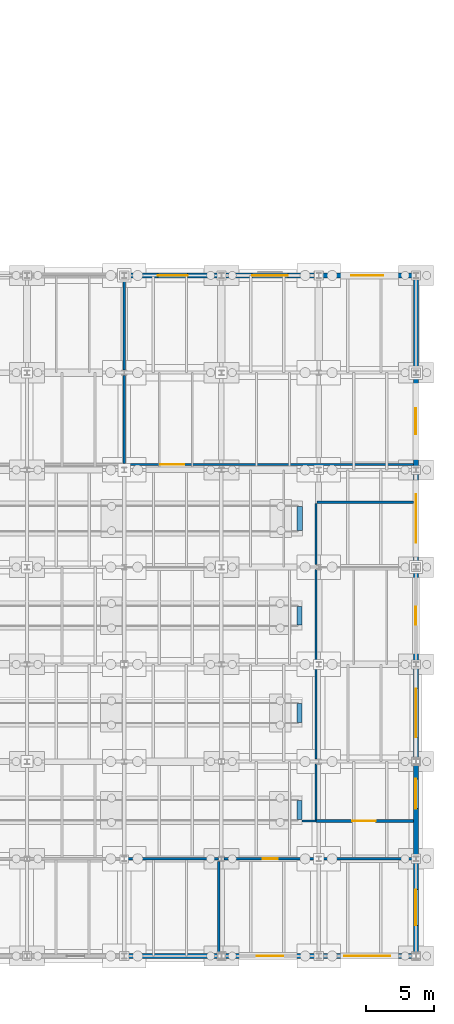
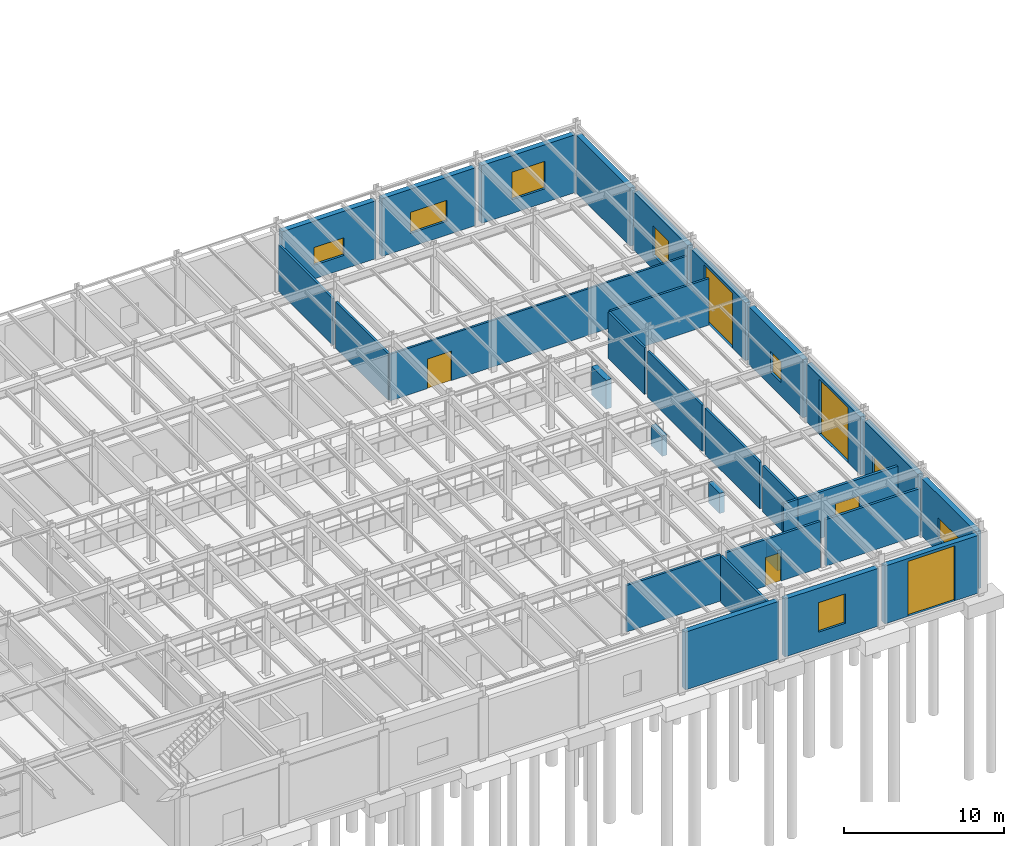
# One storey, part 273 of 293: 31 walls, 8 windows, 6 doors, 14 openings.
"""IFC4 building model written with IfcOpenShell, lengths in metres."""

from ifc_helpers import new_model, si_unit, direction, frame, frame_2d, origin, place, context, subcontext, project, spatial, rectangle, extrude, material, layer, layer_set, type_object, element, fill, save


model = new_model("IFC4")

# Units and contexts
model_context = context("Model", 3, precision=1e-05, world=origin(), true_north=direction((0.0, 1.0)))
body_context = subcontext(model_context, "Body", "Model", "MODEL_VIEW")
ifc_project = project(units=[si_unit("LENGTHUNIT", "METRE"), si_unit("AREAUNIT", "SQUARE_METRE"), si_unit("VOLUMEUNIT", "CUBIC_METRE"), si_unit("PLANEANGLEUNIT", "RADIAN"), si_unit("MASSUNIT", "GRAM", prefix="KILO")], contexts=[model_context])

# Site, building, storey
site_placement = place(None, origin())
site = spatial("IfcSite", under=ifc_project, at=site_placement, CompositionType="ELEMENT")
building_placement = place(site_placement, origin())
building = spatial("IfcBuilding", under=site, at=building_placement, Name="Kemerveld Promenade Tramway Depot", CompositionType="ELEMENT")
storey_placement = place(building_placement, origin())
storey = spatial("IfcBuildingStorey", under=building, at=storey_placement, Name="L00", CompositionType="ELEMENT", Elevation=0.0)

# Wall, opening, window
ifc_material_1 = material(Name="Harare granite ashlar and clay brick cavity masonry", Category="masonry")
ifc_layer_1 = layer(ifc_material_1, 0.3798828125)
ifc_layer_set_1 = layer_set([ifc_layer_1], Name="WL-EXT-380")
wall_type_1 = type_object("IfcWallType", Name="WL-EXT-380", PredefinedType="SOLIDWALL", material=ifc_layer_set_1)
wall_1_placement = place(storey_placement, frame((194.617431640625, 50.39990234375, 0.0), z_axis=(0.0, 0.0, 1.0), x_axis=(1.0, 0.0, 0.0)))
wall_1 = element("IfcWall", 1, at=wall_1_placement, inside=storey, type_object=wall_type_1, Name="WL-L00-V2N-06", PredefinedType="SOLIDWALL", context=body_context, shape_type="SweptSolid", body=[
    extrude(rectangle(XDim=6.76513671875, YDim=0.3798828125, at=frame_2d((3.382568359375, 0.0))), origin(), (0.0, 0.0, 1.0), 4.41259765625),
])
opening_1_placement = place(wall_1_placement, frame((2.282958984375, 0.0, 1.050048828125)))
opening_1 = element("IfcOpeningElement", 2, at=opening_1_placement, cuts=wall_1, Name="Opening W-130", PredefinedType="OPENING", context=body_context, shape_type="SweptSolid", body=[
    extrude(rectangle(XDim=2.199951171875, YDim=1.35009765625, at=frame_2d((1.10009765625, 0.675048828125))), frame((0.0, 0.199951171875, 0.0), z_axis=(0.0, -1.0, 0.0), x_axis=(1.0, 0.0, 0.0)), (0.0, 0.0, 1.0), 0.39990234375),
])
ifc_material_2 = material(Name="Bronze anodised aluminium and low-e glass", Category="aluminium")
window_type_1 = type_object("IfcWindowType", Name="WN-35", PartitioningType="SINGLE_PANEL", PredefinedType="WINDOW", material=ifc_material_2)
window_1_placement = place(opening_1_placement, origin())
window_1 = element("IfcWindow", 3, at=window_1_placement, inside=storey, type_object=window_type_1, Name="WN-L00-V2N-06", OverallHeight=1.35009765625, OverallWidth=2.199951171875, PartitioningType="SINGLE_PANEL", PredefinedType="WINDOW", context=body_context, shape_type="SweptSolid", body=[
    extrude(rectangle(XDim=2.199951171875, YDim=1.35009765625, at=frame_2d((1.10009765625, 0.675048828125))), frame((0.0, 0.030029296875, 0.0), z_axis=(0.0, -1.0, 0.0), x_axis=(1.0, 0.0, 0.0)), (0.0, 0.0, 1.0), 0.06005859375),
])
fill(opening_1, window_1)

wall_2_placement = place(storey_placement, frame((201.8173828125, 50.39990234375, 0.0), z_axis=(0.0, 0.0, 1.0), x_axis=(1.0, 0.0, 0.0)))
wall_2 = element("IfcWall", 4, at=wall_2_placement, inside=storey, type_object=wall_type_1, Name="WL-L00-V2N-07", PredefinedType="SOLIDWALL", context=body_context, shape_type="SweptSolid", body=[
    extrude(rectangle(XDim=6.76513671875, YDim=0.3798828125, at=frame_2d((3.382568359375, 0.0))), origin(), (0.0, 0.0, 1.0), 4.41259765625),
])
opening_2_placement = place(wall_2_placement, frame((2.05810546875, 0.0, 1.050048828125)))
opening_2 = element("IfcOpeningElement", 5, at=opening_2_placement, cuts=wall_2, Name="Opening W-131", PredefinedType="OPENING", context=body_context, shape_type="SweptSolid", body=[
    extrude(rectangle(XDim=2.64990234375, YDim=1.60009765625, at=frame_2d((1.324951171875, 0.800048828125))), frame((0.0, 0.199951171875, 0.0), z_axis=(0.0, -1.0, 0.0), x_axis=(1.0, 0.0, 0.0)), (0.0, 0.0, 1.0), 0.39990234375),
])
window_type_2 = type_object("IfcWindowType", Name="WN-40", PartitioningType="SINGLE_PANEL", PredefinedType="WINDOW", material=ifc_material_2)
window_2_placement = place(opening_2_placement, origin())
window_2 = element("IfcWindow", 6, at=window_2_placement, inside=storey, type_object=window_type_2, Name="WN-L00-V2N-07", OverallHeight=1.60009765625, OverallWidth=2.64990234375, PartitioningType="SINGLE_PANEL", PredefinedType="WINDOW", context=body_context, shape_type="SweptSolid", body=[
    extrude(rectangle(XDim=2.64990234375, YDim=1.60009765625, at=frame_2d((1.324951171875, 0.800048828125))), frame((0.0, 0.030029296875, 0.0), z_axis=(0.0, -1.0, 0.0), x_axis=(1.0, 0.0, 0.0)), (0.0, 0.0, 1.0), 0.06005859375),
])
fill(opening_2, window_2)

wall_3_placement = place(storey_placement, frame((209.017333984375, 50.39990234375, 0.0), z_axis=(0.0, 0.0, 1.0), x_axis=(1.0, 0.0, 0.0)))
wall_3 = element("IfcWall", 7, at=wall_3_placement, inside=storey, type_object=wall_type_1, Name="WL-L00-V2N-08", PredefinedType="SOLIDWALL", context=body_context, shape_type="SweptSolid", body=[
    extrude(rectangle(XDim=6.765380859375, YDim=0.3798828125, at=frame_2d((3.3828125, 0.0))), origin(), (0.0, 0.0, 1.0), 4.41259765625),
])
opening_3_placement = place(wall_3_placement, frame((2.18310546875, 0.0, 1.050048828125)))
opening_3 = element("IfcOpeningElement", 8, at=opening_3_placement, cuts=wall_3, Name="Opening W-132", PredefinedType="OPENING", context=body_context, shape_type="SweptSolid", body=[
    extrude(rectangle(XDim=2.39990234375, YDim=2.10009765625, at=frame_2d((1.199951171875, 1.050048828125))), frame((0.0, 0.199951171875, 0.0), z_axis=(0.0, -1.0, 0.0), x_axis=(1.0, 0.0, 0.0)), (0.0, 0.0, 1.0), 0.39990234375),
])
window_type_3 = type_object("IfcWindowType", Name="WN-05", PartitioningType="SINGLE_PANEL", PredefinedType="WINDOW", material=ifc_material_2)
window_3_placement = place(opening_3_placement, origin())
window_3 = element("IfcWindow", 9, at=window_3_placement, inside=storey, type_object=window_type_3, Name="WN-L00-V2N-08", OverallHeight=2.10009765625, OverallWidth=2.39990234375, PartitioningType="SINGLE_PANEL", PredefinedType="WINDOW", context=body_context, shape_type="SweptSolid", body=[
    extrude(rectangle(XDim=2.39990234375, YDim=2.10009765625, at=frame_2d((1.199951171875, 1.050048828125))), frame((0.0, 0.030029296875, 0.0), z_axis=(0.0, -1.0, 0.0), x_axis=(1.0, 0.0, 0.0)), (0.0, 0.0, 1.0), 0.06005859375),
])
fill(opening_3, window_3)

# Wall
wall_4_placement = place(storey_placement, frame((216.0, 50.1826171875, 0.0), z_axis=(0.0, 0.0, 1.0), x_axis=(0.0, -1.0, 0.0)))
element("IfcWall", 10, at=wall_4_placement, inside=storey, type_object=wall_type_1, Name="WL-L00-V2E-01", PredefinedType="SOLIDWALL", context=body_context, shape_type="SweptSolid", body=[
    extrude(rectangle(XDim=6.76513671875, YDim=0.3798828125, at=frame_2d((3.382568359375, 0.0))), origin(), (0.0, 0.0, 1.0), 4.41259765625),
])

# Wall, opening, window
wall_5_placement = place(storey_placement, frame((216.0, 42.982666015625, 0.0), z_axis=(0.0, 0.0, 1.0), x_axis=(0.0, -1.0, 0.0)))
wall_5 = element("IfcWall", 11, at=wall_5_placement, inside=storey, type_object=wall_type_1, Name="WL-L00-V2E-02", PredefinedType="SOLIDWALL", context=body_context, shape_type="SweptSolid", body=[
    extrude(rectangle(XDim=6.765380859375, YDim=0.3798828125, at=frame_2d((3.3828125, 0.0))), origin(), (0.0, 0.0, 1.0), 4.41259765625),
])
opening_4_placement = place(wall_5_placement, frame((2.407958984375, 0.0, 1.050048828125)))
opening_4 = element("IfcOpeningElement", 12, at=opening_4_placement, cuts=wall_5, Name="Opening W-133", PredefinedType="OPENING", context=body_context, shape_type="SweptSolid", body=[
    extrude(rectangle(XDim=1.949951171875, YDim=2.25, at=frame_2d((0.97509765625, 1.125))), frame((0.0, 0.199951171875, 0.0), z_axis=(0.0, -1.0, 0.0), x_axis=(1.0, 0.0, 0.0)), (0.0, 0.0, 1.0), 0.39990234375),
])
window_type_4 = type_object("IfcWindowType", Name="WN-15", PartitioningType="SINGLE_PANEL", PredefinedType="WINDOW", material=ifc_material_2)
window_4_placement = place(opening_4_placement, origin())
window_4 = element("IfcWindow", 13, at=window_4_placement, inside=storey, type_object=window_type_4, Name="WN-L00-V2E-02", OverallHeight=2.25, OverallWidth=1.949951171875, PartitioningType="SINGLE_PANEL", PredefinedType="WINDOW", context=body_context, shape_type="SweptSolid", body=[
    extrude(rectangle(XDim=1.949951171875, YDim=2.25, at=frame_2d((0.97509765625, 1.125))), frame((0.0, 0.030029296875, 0.0), z_axis=(0.0, -1.0, 0.0), x_axis=(1.0, 0.0, 0.0)), (0.0, 0.0, 1.0), 0.06005859375),
])
fill(opening_4, window_4)

# Wall, opening, door
wall_6_placement = place(storey_placement, frame((216.0, 35.78271484375, 0.0), z_axis=(0.0, 0.0, 1.0), x_axis=(0.0, -1.0, 0.0)))
wall_6 = element("IfcWall", 14, at=wall_6_placement, inside=storey, type_object=wall_type_1, Name="WL-L00-V2E-03", PredefinedType="SOLIDWALL", context=body_context, shape_type="SweptSolid", body=[
    extrude(rectangle(XDim=6.765380859375, YDim=0.3798828125, at=frame_2d((3.3828125, 0.0))), origin(), (0.0, 0.0, 1.0), 4.41259765625),
])
opening_5_placement = place(wall_6_placement, frame((1.5830078125, 0.0, 0.0)))
opening_5 = element("IfcOpeningElement", 15, at=opening_5_placement, cuts=wall_6, Name="Opening D-142", PredefinedType="OPENING", context=body_context, shape_type="SweptSolid", body=[
    extrude(rectangle(XDim=3.60009765625, YDim=4.199951171875, at=frame_2d((1.800048828125, 2.10009765625))), frame((0.0, 0.199951171875, 0.0), z_axis=(0.0, -1.0, 0.0), x_axis=(1.0, 0.0, 0.0)), (0.0, 0.0, 1.0), 0.39990234375),
])
ifc_material_3 = material(Name="Acoustic insulated steel workshop shutter", Category="steel")
door_type_1 = type_object("IfcDoorType", Name="GT-WORK2", OperationType="ROLLINGUP", PredefinedType="GATE", material=ifc_material_3)
door_1_placement = place(opening_5_placement, origin())
door_1 = element("IfcDoor", 16, at=door_1_placement, inside=storey, type_object=door_type_1, Name="GT-V2-E2", OperationType="ROLLINGUP", OverallHeight=4.199951171875, OverallWidth=3.60009765625, PredefinedType="GATE", context=body_context, shape_type="SweptSolid", body=[
    extrude(rectangle(XDim=3.60009765625, YDim=4.199951171875, at=frame_2d((1.800048828125, 2.10009765625))), frame((0.0, 0.02490234375, 0.0), z_axis=(0.0, -1.0, 0.0), x_axis=(1.0, 0.0, 0.0)), (0.0, 0.0, 1.0), 0.050048828125),
])
fill(opening_5, door_1)

# Wall, opening, window
wall_7_placement = place(storey_placement, frame((216.0, 28.58251953125, 0.0), z_axis=(0.0, 0.0, 1.0), x_axis=(0.0, -1.0, 0.0)))
wall_7 = element("IfcWall", 17, at=wall_7_placement, inside=storey, type_object=wall_type_1, Name="WL-L00-V2E-04", PredefinedType="SOLIDWALL", context=body_context, shape_type="SweptSolid", body=[
    extrude(rectangle(XDim=6.76513671875, YDim=0.3798828125, at=frame_2d((3.382568359375, 0.0))), origin(), (0.0, 0.0, 1.0), 4.41259765625),
])
opening_6_placement = place(wall_7_placement, frame((2.73291015625, 0.0, 1.050048828125)))
opening_6 = element("IfcOpeningElement", 18, at=opening_6_placement, cuts=wall_7, Name="Opening W-134", PredefinedType="OPENING", context=body_context, shape_type="SweptSolid", body=[
    extrude(rectangle(XDim=1.300048828125, YDim=1.60009765625, at=frame_2d((0.64990234375, 0.800048828125))), frame((0.0, 0.199951171875, 0.0), z_axis=(0.0, -1.0, 0.0), x_axis=(1.0, 0.0, 0.0)), (0.0, 0.0, 1.0), 0.39990234375),
])
window_type_5 = type_object("IfcWindowType", Name="WN-25", PartitioningType="SINGLE_PANEL", PredefinedType="WINDOW", material=ifc_material_2)
window_5_placement = place(opening_6_placement, origin())
window_5 = element("IfcWindow", 19, at=window_5_placement, inside=storey, type_object=window_type_5, Name="WN-L00-V2E-04", OverallHeight=1.60009765625, OverallWidth=1.300048828125, PartitioningType="SINGLE_PANEL", PredefinedType="WINDOW", context=body_context, shape_type="SweptSolid", body=[
    extrude(rectangle(XDim=1.300048828125, YDim=1.60009765625, at=frame_2d((0.64990234375, 0.800048828125))), frame((0.0, 0.030029296875, 0.0), z_axis=(0.0, -1.0, 0.0), x_axis=(1.0, 0.0, 0.0)), (0.0, 0.0, 1.0), 0.06005859375),
])
fill(opening_6, window_5)

# Wall, opening, door
wall_8_placement = place(storey_placement, frame((216.0, 21.382568359375, 0.0), z_axis=(0.0, 0.0, 1.0), x_axis=(0.0, -1.0, 0.0)))
wall_8 = element("IfcWall", 20, at=wall_8_placement, inside=storey, type_object=wall_type_1, Name="WL-L00-V2E-05", PredefinedType="SOLIDWALL", context=body_context, shape_type="SweptSolid", body=[
    extrude(rectangle(XDim=6.76513671875, YDim=0.3798828125, at=frame_2d((3.382568359375, 0.0))), origin(), (0.0, 0.0, 1.0), 4.41259765625),
])
opening_7_placement = place(wall_8_placement, frame((1.5830078125, 0.0, 0.0)))
opening_7 = element("IfcOpeningElement", 21, at=opening_7_placement, cuts=wall_8, Name="Opening D-141", PredefinedType="OPENING", context=body_context, shape_type="SweptSolid", body=[
    extrude(rectangle(XDim=3.60009765625, YDim=4.199951171875, at=frame_2d((1.800048828125, 2.10009765625))), frame((0.0, 0.199951171875, 0.0), z_axis=(0.0, -1.0, 0.0), x_axis=(1.0, 0.0, 0.0)), (0.0, 0.0, 1.0), 0.39990234375),
])
door_2_placement = place(opening_7_placement, origin())
door_2 = element("IfcDoor", 22, at=door_2_placement, inside=storey, type_object=door_type_1, Name="GT-V2-E1", OperationType="ROLLINGUP", OverallHeight=4.199951171875, OverallWidth=3.60009765625, PredefinedType="GATE", context=body_context, shape_type="SweptSolid", body=[
    extrude(rectangle(XDim=3.60009765625, YDim=4.199951171875, at=frame_2d((1.800048828125, 2.10009765625))), frame((0.0, 0.02490234375, 0.0), z_axis=(0.0, -1.0, 0.0), x_axis=(1.0, 0.0, 0.0)), (0.0, 0.0, 1.0), 0.050048828125),
])
fill(opening_7, door_2)

# Wall, opening, window
wall_9_placement = place(storey_placement, frame((216.0, 14.1826171875, 0.0), z_axis=(0.0, 0.0, 1.0), x_axis=(0.0, -1.0, 0.0)))
wall_9 = element("IfcWall", 23, at=wall_9_placement, inside=storey, type_object=wall_type_1, Name="WL-L00-V2E-06", PredefinedType="SOLIDWALL", context=body_context, shape_type="SweptSolid", body=[
    extrude(rectangle(XDim=6.76513671875, YDim=0.3798828125, at=frame_2d((3.382568359375, 0.0))), origin(), (0.0, 0.0, 1.0), 4.41259765625),
])
opening_8_placement = place(wall_9_placement, frame((1.06591796875, 0.0, 1.050048828125)))
opening_8 = element("IfcOpeningElement", 24, at=opening_8_placement, cuts=wall_9, Name="Opening W-135", PredefinedType="OPENING", context=body_context, shape_type="SweptSolid", body=[
    extrude(rectangle(XDim=2.199951171875, YDim=1.35009765625, at=frame_2d((1.10009765625, 0.675048828125))), frame((0.0, 0.199951171875, 0.0), z_axis=(0.0, -1.0, 0.0), x_axis=(1.0, 0.0, 0.0)), (0.0, 0.0, 1.0), 0.39990234375),
])
window_6_placement = place(opening_8_placement, origin())
window_6 = element("IfcWindow", 25, at=window_6_placement, inside=storey, type_object=window_type_1, Name="WN-L00-V2E-06", OverallHeight=1.35009765625, OverallWidth=2.199951171875, PartitioningType="SINGLE_PANEL", PredefinedType="WINDOW", context=body_context, shape_type="SweptSolid", body=[
    extrude(rectangle(XDim=2.199951171875, YDim=1.35009765625, at=frame_2d((1.10009765625, 0.675048828125))), frame((0.0, 0.030029296875, 0.0), z_axis=(0.0, -1.0, 0.0), x_axis=(1.0, 0.0, 0.0)), (0.0, 0.0, 1.0), 0.06005859375),
])
fill(opening_8, window_6)

wall_10_placement = place(storey_placement, frame((216.0, 6.982666015625, 0.0), z_axis=(0.0, 0.0, 1.0), x_axis=(0.0, -1.0, 0.0)))
wall_10 = element("IfcWall", 26, at=wall_10_placement, inside=storey, type_object=wall_type_1, Name="WL-L00-V2E-07", PredefinedType="SOLIDWALL", context=body_context, shape_type="SweptSolid", body=[
    extrude(rectangle(XDim=6.765380859375, YDim=0.3798828125, at=frame_2d((3.3828125, 0.0))), origin(), (0.0, 0.0, 1.0), 4.41259765625),
])
opening_9_placement = place(wall_10_placement, frame((2.05810546875, 0.0, 1.050048828125)))
opening_9 = element("IfcOpeningElement", 27, at=opening_9_placement, cuts=wall_10, Name="Opening W-136", PredefinedType="OPENING", context=body_context, shape_type="SweptSolid", body=[
    extrude(rectangle(XDim=2.64990234375, YDim=1.60009765625, at=frame_2d((1.324951171875, 0.800048828125))), frame((0.0, 0.199951171875, 0.0), z_axis=(0.0, -1.0, 0.0), x_axis=(1.0, 0.0, 0.0)), (0.0, 0.0, 1.0), 0.39990234375),
])
window_7_placement = place(opening_9_placement, origin())
window_7 = element("IfcWindow", 28, at=window_7_placement, inside=storey, type_object=window_type_2, Name="WN-L00-V2E-07", OverallHeight=1.60009765625, OverallWidth=2.64990234375, PartitioningType="SINGLE_PANEL", PredefinedType="WINDOW", context=body_context, shape_type="SweptSolid", body=[
    extrude(rectangle(XDim=2.64990234375, YDim=1.60009765625, at=frame_2d((1.324951171875, 0.800048828125))), frame((0.0, 0.030029296875, 0.0), z_axis=(0.0, -1.0, 0.0), x_axis=(1.0, 0.0, 0.0)), (0.0, 0.0, 1.0), 0.06005859375),
])
fill(opening_9, window_7)

# Wall, opening, door
wall_11_placement = place(storey_placement, frame((215.78271484375, 0.0, 0.0), z_axis=(0.0, 0.0, 1.0), x_axis=(-1.0, 0.0, 0.0)))
wall_11 = element("IfcWall", 29, at=wall_11_placement, inside=storey, type_object=wall_type_1, Name="WL-L00-V2S-01", PredefinedType="SOLIDWALL", context=body_context, shape_type="SweptSolid", body=[
    extrude(rectangle(XDim=6.765380859375, YDim=0.3798828125, at=frame_2d((3.3828125, 0.0))), origin(), (0.0, 0.0, 1.0), 4.41259765625),
])
opening_10_placement = place(wall_11_placement, frame((1.68310546875, 0.0, 0.0)))
opening_10 = element("IfcOpeningElement", 30, at=opening_10_placement, cuts=wall_11, Name="Opening D-140", PredefinedType="OPENING", context=body_context, shape_type="SweptSolid", body=[
    extrude(rectangle(XDim=3.39990234375, YDim=4.199951171875, at=frame_2d((1.699951171875, 2.10009765625))), frame((0.0, 0.199951171875, 0.0), z_axis=(0.0, -1.0, 0.0), x_axis=(1.0, 0.0, 0.0)), (0.0, 0.0, 1.0), 0.39990234375),
])
ifc_material_4 = material(Name="Insulated steel goods loading dock shutter", Category="steel")
door_type_2 = type_object("IfcDoorType", Name="GT-DOCK1", OperationType="ROLLINGUP", PredefinedType="GATE", material=ifc_material_4)
door_3_placement = place(opening_10_placement, origin())
door_3 = element("IfcDoor", 31, at=door_3_placement, inside=storey, type_object=door_type_2, Name="GT-DOCK-S1", OperationType="ROLLINGUP", OverallHeight=4.199951171875, OverallWidth=3.39990234375, PredefinedType="GATE", context=body_context, shape_type="SweptSolid", body=[
    extrude(rectangle(XDim=3.39990234375, YDim=4.199951171875, at=frame_2d((1.699951171875, 2.10009765625))), frame((0.0, 0.02490234375, 0.0), z_axis=(0.0, -1.0, 0.0), x_axis=(1.0, 0.0, 0.0)), (0.0, 0.0, 1.0), 0.050048828125),
])
fill(opening_10, door_3)

# Wall, opening, window
wall_12_placement = place(storey_placement, frame((208.58251953125, 0.0, 0.0), z_axis=(0.0, 0.0, 1.0), x_axis=(-1.0, 0.0, 0.0)))
wall_12 = element("IfcWall", 32, at=wall_12_placement, inside=storey, type_object=wall_type_1, Name="WL-L00-V2S-02", PredefinedType="SOLIDWALL", context=body_context, shape_type="SweptSolid", body=[
    extrude(rectangle(XDim=6.76513671875, YDim=0.3798828125, at=frame_2d((3.382568359375, 0.0))), origin(), (0.0, 0.0, 1.0), 4.41259765625),
])
opening_11_placement = place(wall_12_placement, frame((2.407958984375, 0.0, 1.050048828125)))
opening_11 = element("IfcOpeningElement", 33, at=opening_11_placement, cuts=wall_12, Name="Opening W-137", PredefinedType="OPENING", context=body_context, shape_type="SweptSolid", body=[
    extrude(rectangle(XDim=1.949951171875, YDim=2.25, at=frame_2d((0.97509765625, 1.125))), frame((0.0, 0.199951171875, 0.0), z_axis=(0.0, -1.0, 0.0), x_axis=(1.0, 0.0, 0.0)), (0.0, 0.0, 1.0), 0.39990234375),
])
window_8_placement = place(opening_11_placement, origin())
window_8 = element("IfcWindow", 34, at=window_8_placement, inside=storey, type_object=window_type_4, Name="WN-L00-V2S-02", OverallHeight=2.25, OverallWidth=1.949951171875, PartitioningType="SINGLE_PANEL", PredefinedType="WINDOW", context=body_context, shape_type="SweptSolid", body=[
    extrude(rectangle(XDim=1.949951171875, YDim=2.25, at=frame_2d((0.97509765625, 1.125))), frame((0.0, 0.030029296875, 0.0), z_axis=(0.0, -1.0, 0.0), x_axis=(1.0, 0.0, 0.0)), (0.0, 0.0, 1.0), 0.06005859375),
])
fill(opening_11, window_8)

# Walls
wall_13_placement = place(storey_placement, frame((201.382568359375, 0.0, 0.0), z_axis=(0.0, 0.0, 1.0), x_axis=(-1.0, 0.0, 0.0)))
element("IfcWall", 35, at=wall_13_placement, inside=storey, type_object=wall_type_1, Name="WL-L00-V2S-03", PredefinedType="SOLIDWALL", context=body_context, shape_type="SweptSolid", body=[
    extrude(rectangle(XDim=6.76513671875, YDim=0.3798828125, at=frame_2d((3.382568359375, 0.0))), origin(), (0.0, 0.0, 1.0), 4.41259765625),
])
ifc_material_5 = material(Name="Concrete C40/50", Category="concrete")
ifc_layer_2 = layer(ifc_material_5, 0.35009765625)
ifc_layer_set_2 = layer_set([ifc_layer_2], Name="WL-PIT350")
wall_type_2 = type_object("IfcWallType", Name="WL-PIT350", PredefinedType="USERDEFINED", material=ifc_layer_set_2)
for number, where, z_axis, x_axis, name in (
    (36, (207.375, 10.10009765625, -1.550048828125), (0.0, 0.0, 1.0), (0.0, 1.0, 0.0), "WL-PIT-08-E"),
    (37, (207.375, 17.300048828125, -1.550048828125), (0.0, 0.0, 1.0), (0.0, 1.0, 0.0), "WL-PIT-09-E"),
    (38, (207.375, 24.5, -1.550048828125), (0.0, 0.0, 1.0), (0.0, 1.0, 0.0), "WL-PIT-10-E"),
):
    element("IfcWall", number, at=place(storey_placement, frame(where, z_axis=z_axis, x_axis=x_axis)), inside=storey, type_object=wall_type_2, Name=name, ObjectType="RETAINING_WALL", PredefinedType="USERDEFINED", context=body_context, shape_type="SweptSolid", body=[
        extrude(rectangle(XDim=1.39990234375, YDim=0.35009765625, at=frame_2d((0.699951171875, 0.0))), origin(), (0.0, 0.0, 1.0), 1.550048828125),
    ])
ifc_layer_3 = layer(ifc_material_5, 0.39990234375)
ifc_layer_set_3 = layer_set([ifc_layer_3], Name="WL-PIT400")
wall_type_3 = type_object("IfcWallType", Name="WL-PIT400", PredefinedType="USERDEFINED", material=ifc_layer_set_3)
wall_14_placement = place(storey_placement, frame((207.39990234375, 31.5, -2.199951171875), z_axis=(0.0, 0.0, 1.0), x_axis=(0.0, 1.0, 0.0)))
element("IfcWall", 39, at=wall_14_placement, inside=storey, type_object=wall_type_3, Name="WL-PIT-11-E", ObjectType="RETAINING_WALL", PredefinedType="USERDEFINED", context=body_context, shape_type="SweptSolid", body=[
    extrude(rectangle(XDim=1.800048828125, YDim=0.39990234375, at=frame_2d((0.89990234375, 0.0))), origin(), (0.0, 0.0, 1.0), 2.199951171875),
])

# Wall, opening, door
ifc_material_6 = material(Name="Fire-rated gypsum stud partition")
ifc_layer_4 = layer(ifc_material_6, 0.14501953125)
ifc_layer_set_4 = layer_set([ifc_layer_4], Name="WL-PRT-145")
wall_type_4 = type_object("IfcWallType", Name="WL-PRT-145", PredefinedType="PARTITIONING", material=ifc_layer_set_4)
wall_15_placement = place(storey_placement, frame((194.39990234375, 36.39990234375, 0.0), z_axis=(0.0, 0.0, 1.0), x_axis=(1.0, 0.0, 0.0)))
wall_15 = element("IfcWall", 40, at=wall_15_placement, inside=storey, type_object=wall_type_4, Name="WL-PRT-RM-L00-V2-BOGIE", PredefinedType="PARTITIONING", context=body_context, shape_type="SweptSolid", body=[
    extrude(rectangle(XDim=21.41015625, YDim=0.14501953125, at=frame_2d((10.705078125, 0.0))), origin(), (0.0, 0.0, 1.0), 3.550048828125),
])
opening_12_placement = place(wall_15_placement, frame((2.68408203125, 0.0, 0.0)))
opening_12 = element("IfcOpeningElement", 41, at=opening_12_placement, cuts=wall_15, Name="Opening D-594", PredefinedType="OPENING", context=body_context, shape_type="SweptSolid", body=[
    extrude(rectangle(XDim=1.75, YDim=2.25, at=frame_2d((0.875, 1.125))), frame((0.0, 0.08251953125, 0.0), z_axis=(0.0, -1.0, 0.0), x_axis=(1.0, 0.0, 0.0)), (0.0, 0.0, 1.0), 0.1650390625),
])
ifc_material_7 = material(Name="Double workshop equipment door")
door_type_3 = type_object("IfcDoorType", Name="DR-INT06", OperationType="DOUBLE_SWING_LEFT", PredefinedType="DOOR", material=ifc_material_7)
door_4_placement = place(opening_12_placement, origin())
door_4 = element("IfcDoor", 42, at=door_4_placement, inside=storey, type_object=door_type_3, Name="DR-RM-RM-L00-V2-BOGIE", OperationType="DOUBLE_SWING_LEFT", OverallHeight=2.25, OverallWidth=1.75, PredefinedType="DOOR", context=body_context, shape_type="SweptSolid", body=[
    extrude(rectangle(XDim=1.75, YDim=2.25, at=frame_2d((0.875, 1.125))), frame((0.0, 0.02490234375, 0.0), z_axis=(0.0, -1.0, 0.0), x_axis=(1.0, 0.0, 0.0)), (0.0, 0.0, 1.0), 0.050048828125),
])
fill(opening_12, door_4)

# Walls
ifc_material_8 = material(Name="Acoustic twin-stud gypsum partition")
ifc_layer_5 = layer(ifc_material_8, 0.159912109375)
ifc_layer_set_5 = layer_set([ifc_layer_5], Name="WL-PRT-160")
wall_type_5 = type_object("IfcWallType", Name="WL-PRT-160", PredefinedType="PARTITIONING", material=ifc_layer_set_5)
wall_16_placement = place(storey_placement, frame((194.59912109375, 7.199951171875, 0.0), z_axis=(0.0, 0.0, 1.0), x_axis=(1.0, 0.0, 0.0)))
element("IfcWall", 43, at=wall_16_placement, inside=storey, type_object=wall_type_5, Name="WL-PRT-RM-L00-V2-STORE-S4", PredefinedType="PARTITIONING", context=body_context, shape_type="SweptSolid", body=[
    extrude(rectangle(XDim=6.80078125, YDim=0.159912109375, at=frame_2d((3.400390625, 0.0))), origin(), (0.0, 0.0, 1.0), 3.550048828125),
])
wall_17_placement = place(storey_placement, frame((208.60009765625, 10.087890625, 0.0), z_axis=(0.0, 0.0, 1.0), x_axis=(0.0, 1.0, 0.0)))
element("IfcWall", 44, at=wall_17_placement, inside=storey, type_object=wall_type_5, Name="WL-DIV-L00-006", PredefinedType="PARTITIONING", context=body_context, shape_type="SweptSolid", body=[
    extrude(rectangle(XDim=4.119140625, YDim=0.159912109375, at=frame_2d((2.0595703125, 0.0))), origin(), (0.0, 0.0, 1.0), 3.550048828125),
])
for number, where, z_axis, x_axis, name in (
    (45, (208.60009765625, 14.593017578125, 0.0), (0.0, 0.0, 1.0), (0.0, 1.0, 0.0), "WL-DIV-L00-007"),
    (46, (208.60009765625, 21.79296875, 0.0), (0.0, 0.0, 1.0), (0.0, 1.0, 0.0), "WL-DIV-L00-008"),
):
    element("IfcWall", number, at=place(storey_placement, frame(where, z_axis=z_axis, x_axis=x_axis)), inside=storey, type_object=wall_type_5, Name=name, PredefinedType="PARTITIONING", context=body_context, shape_type="SweptSolid", body=[
        extrude(rectangle(XDim=6.81494140625, YDim=0.159912109375, at=frame_2d((3.407470703125, 0.0))), origin(), (0.0, 0.0, 1.0), 3.550048828125),
    ])
wall_18_placement = place(storey_placement, frame((208.60009765625, 28.991943359375, 0.0), z_axis=(0.0, 0.0, 1.0), x_axis=(0.0, 1.0, 0.0)))
element("IfcWall", 47, at=wall_18_placement, inside=storey, type_object=wall_type_5, Name="WL-DIV-L00-009", PredefinedType="PARTITIONING", context=body_context, shape_type="SweptSolid", body=[
    extrude(rectangle(XDim=4.528076171875, YDim=0.159912109375, at=frame_2d((2.26416015625, 0.0))), origin(), (0.0, 0.0, 1.0), 3.550048828125),
])
wall_19_placement = place(storey_placement, frame((208.679931640625, 33.60009765625, 0.0), z_axis=(0.0, 0.0, 1.0), x_axis=(1.0, 0.0, 0.0)))
element("IfcWall", 48, at=wall_19_placement, inside=storey, type_object=wall_type_5, Name="WL-DIV-L00-010", PredefinedType="PARTITIONING", context=body_context, shape_type="SweptSolid", body=[
    extrude(rectangle(XDim=7.130126953125, YDim=0.159912109375, at=frame_2d((3.56494140625, 0.0))), origin(), (0.0, 0.0, 1.0), 3.550048828125),
])
wall_20_placement = place(storey_placement, frame((194.39990234375, 36.47998046875, 0.0), z_axis=(0.0, 0.0, 1.0), x_axis=(0.0, 1.0, 0.0)))
element("IfcWall", 49, at=wall_20_placement, inside=storey, type_object=wall_type_5, Name="WL-DIV-L00-013", PredefinedType="PARTITIONING", context=body_context, shape_type="SweptSolid", body=[
    extrude(rectangle(XDim=6.528076171875, YDim=0.159912109375, at=frame_2d((3.26416015625, 0.0))), origin(), (0.0, 0.0, 1.0), 3.550048828125),
])
wall_21_placement = place(storey_placement, frame((194.39990234375, 43.39306640625, 0.0), z_axis=(0.0, 0.0, 1.0), x_axis=(0.0, 1.0, 0.0)))
element("IfcWall", 50, at=wall_21_placement, inside=storey, type_object=wall_type_5, Name="WL-DIV-L00-014", PredefinedType="PARTITIONING", context=body_context, shape_type="SweptSolid", body=[
    extrude(rectangle(XDim=6.81396484375, YDim=0.159912109375, at=frame_2d((3.406982421875, 0.0))), origin(), (0.0, 0.0, 1.0), 3.550048828125),
])
wall_22_placement = place(storey_placement, frame((201.39990234375, 0.193115234375, 0.0), z_axis=(0.0, 0.0, 1.0), x_axis=(0.0, 1.0, 0.0)))
element("IfcWall", 51, at=wall_22_placement, inside=storey, type_object=wall_type_5, Name="WL-DIV-L00-015", PredefinedType="PARTITIONING", context=body_context, shape_type="SweptSolid", body=[
    extrude(rectangle(XDim=6.81494140625, YDim=0.159912109375, at=frame_2d((3.407470703125, 0.0))), origin(), (0.0, 0.0, 1.0), 3.550048828125),
])
ifc_material_9 = material(Name="Workshop acoustic block partition")
ifc_layer_6 = layer(ifc_material_9, 0.175048828125)
ifc_layer_set_6 = layer_set([ifc_layer_6], Name="WL-PRT-175")
wall_type_6 = type_object("IfcWallType", Name="WL-PRT-175", PredefinedType="PARTITIONING", material=ifc_layer_set_6)
wall_23_placement = place(storey_placement, frame((207.550048828125, 10.0, 0.0), z_axis=(0.0, 0.0, 1.0), x_axis=(1.0, 0.0, 0.0)))
element("IfcWall", 52, at=wall_23_placement, inside=storey, type_object=wall_type_6, Name="WL-PRT-RM-L00-V2-HALL-S2", PredefinedType="PARTITIONING", context=body_context, shape_type="SweptSolid", body=[
    extrude(rectangle(XDim=1.050048828125, YDim=0.175048828125, at=frame_2d((0.52490234375, 0.0))), origin(), (0.0, 0.0, 1.0), 3.550048828125),
])

# Wall, opening, door
wall_24_placement = place(storey_placement, frame((201.799072265625, 7.199951171875, 0.0), z_axis=(0.0, 0.0, 1.0), x_axis=(1.0, 0.0, 0.0)))
wall_24 = element("IfcWall", 53, at=wall_24_placement, inside=storey, type_object=wall_type_6, Name="WL-PRT-RM-L00-V2-DOCK", PredefinedType="PARTITIONING", context=body_context, shape_type="SweptSolid", body=[
    extrude(rectangle(XDim=6.802001953125, YDim=0.175048828125, at=frame_2d((3.40087890625, 0.0))), origin(), (0.0, 0.0, 1.0), 3.550048828125),
])
opening_13_placement = place(wall_24_placement, frame((2.841064453125, 0.0, 0.0)))
opening_13 = element("IfcOpeningElement", 54, at=opening_13_placement, cuts=wall_24, Name="Opening D-596", PredefinedType="OPENING", context=body_context, shape_type="SweptSolid", body=[
    extrude(rectangle(XDim=1.1201171875, YDim=2.179931640625, at=frame_2d((0.56005859375, 1.08984375))), frame((0.0, 0.097412109375, 0.0), z_axis=(0.0, -1.0, 0.0), x_axis=(1.0, 0.0, 0.0)), (0.0, 0.0, 1.0), 0.195068359375),
])
ifc_material_10 = material(Name="Glazed archive door")
door_type_4 = type_object("IfcDoorType", Name="DR-INT12", OperationType="NOTDEFINED", PredefinedType="DOOR", material=ifc_material_10)
door_5_placement = place(opening_13_placement, origin())
door_5 = element("IfcDoor", 55, at=door_5_placement, inside=storey, type_object=door_type_4, Name="DR-RM-RM-L00-V2-DOCK", OperationType="SINGLE_SWING_RIGHT", OverallHeight=2.179931640625, OverallWidth=1.1201171875, PredefinedType="DOOR", context=body_context, shape_type="SweptSolid", body=[
    extrude(rectangle(XDim=1.1201171875, YDim=2.179931640625, at=frame_2d((0.56005859375, 1.08984375))), frame((0.0, 0.02490234375, 0.0), z_axis=(0.0, -1.0, 0.0), x_axis=(1.0, 0.0, 0.0)), (0.0, 0.0, 1.0), 0.050048828125),
])
fill(opening_13, door_5)

# Wall
wall_25_placement = place(storey_placement, frame((208.9990234375, 7.199951171875, 0.0), z_axis=(0.0, 0.0, 1.0), x_axis=(1.0, 0.0, 0.0)))
element("IfcWall", 56, at=wall_25_placement, inside=storey, type_object=wall_type_6, Name="WL-PRT-RM-L00-V2-DOCK-S2", PredefinedType="PARTITIONING", context=body_context, shape_type="SweptSolid", body=[
    extrude(rectangle(XDim=6.802001953125, YDim=0.175048828125, at=frame_2d((3.40087890625, 0.0))), origin(), (0.0, 0.0, 1.0), 3.550048828125),
])

# Wall, opening, door
ifc_material_11 = material(Name="Plant and substation fire partition")
ifc_layer_7 = layer(ifc_material_11, 0.18994140625)
ifc_layer_set_7 = layer_set([ifc_layer_7], Name="WL-PRT-190")
wall_type_7 = type_object("IfcWallType", Name="WL-PRT-190", PredefinedType="PARTITIONING", material=ifc_layer_set_7)
wall_26_placement = place(storey_placement, frame((208.60009765625, 10.0, 0.0), z_axis=(0.0, 0.0, 1.0), x_axis=(1.0, 0.0, 0.0)))
wall_26 = element("IfcWall", 57, at=wall_26_placement, inside=storey, type_object=wall_type_7, Name="WL-PRT-RM-L00-V2-JACK", PredefinedType="PARTITIONING", context=body_context, shape_type="SweptSolid", body=[
    extrude(rectangle(XDim=7.2099609375, YDim=0.18994140625, at=frame_2d((3.60498046875, 0.0))), origin(), (0.0, 0.0, 1.0), 3.550048828125),
])
opening_14_placement = place(wall_26_placement, frame((2.675048828125, 0.0, 0.0)))
opening_14 = element("IfcOpeningElement", 58, at=opening_14_placement, cuts=wall_26, Name="Opening D-592", PredefinedType="OPENING", context=body_context, shape_type="SweptSolid", body=[
    extrude(rectangle(XDim=1.75, YDim=2.25, at=frame_2d((0.875, 1.125))), frame((0.0, 0.10498046875, 0.0), z_axis=(0.0, -1.0, 0.0), x_axis=(1.0, 0.0, 0.0)), (0.0, 0.0, 1.0), 0.2099609375),
])
door_6_placement = place(opening_14_placement, origin())
door_6 = element("IfcDoor", 59, at=door_6_placement, inside=storey, type_object=door_type_3, Name="DR-RM-RM-L00-V2-JACK", OperationType="DOUBLE_SWING_LEFT", OverallHeight=2.25, OverallWidth=1.75, PredefinedType="DOOR", context=body_context, shape_type="SweptSolid", body=[
    extrude(rectangle(XDim=1.75, YDim=2.25, at=frame_2d((0.875, 1.125))), frame((0.0, 0.02490234375, 0.0), z_axis=(0.0, -1.0, 0.0), x_axis=(1.0, 0.0, 0.0)), (0.0, 0.0, 1.0), 0.050048828125),
])
fill(opening_14, door_6)

save(model, "model.ifc")
